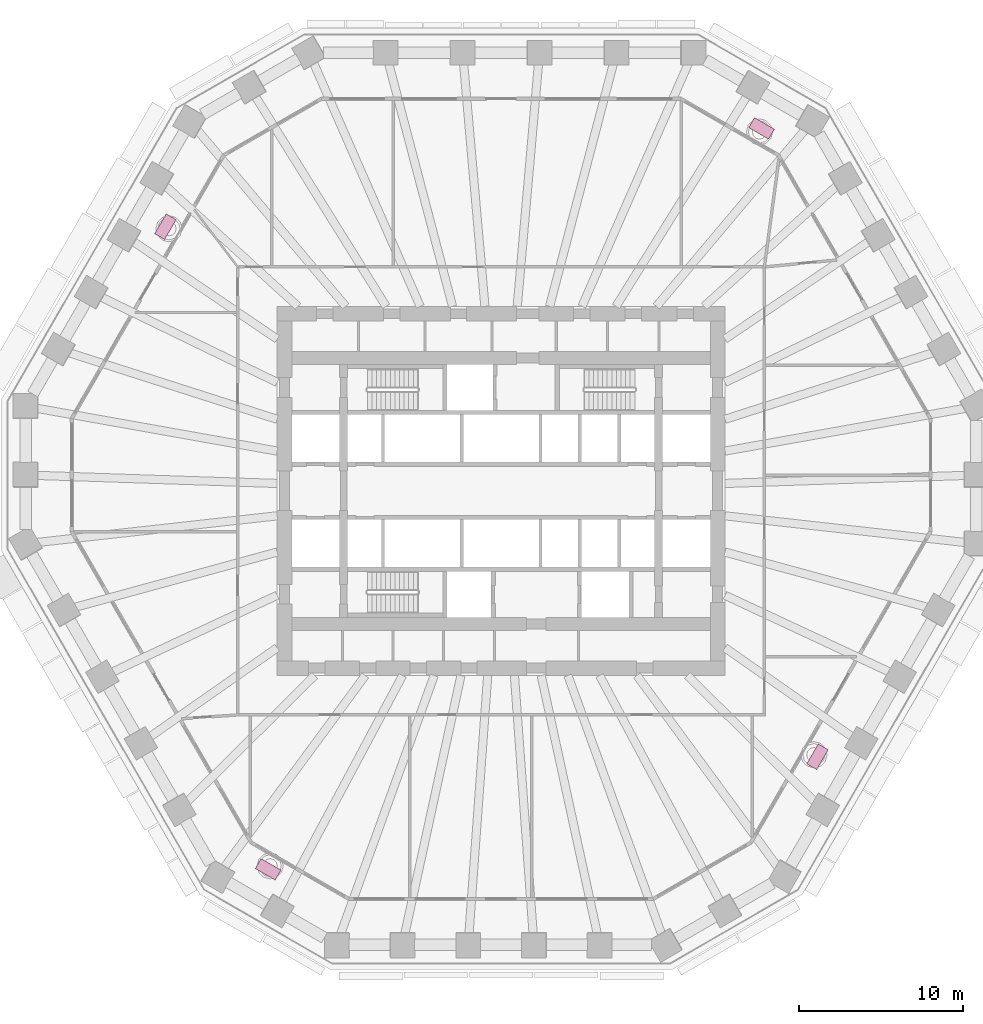
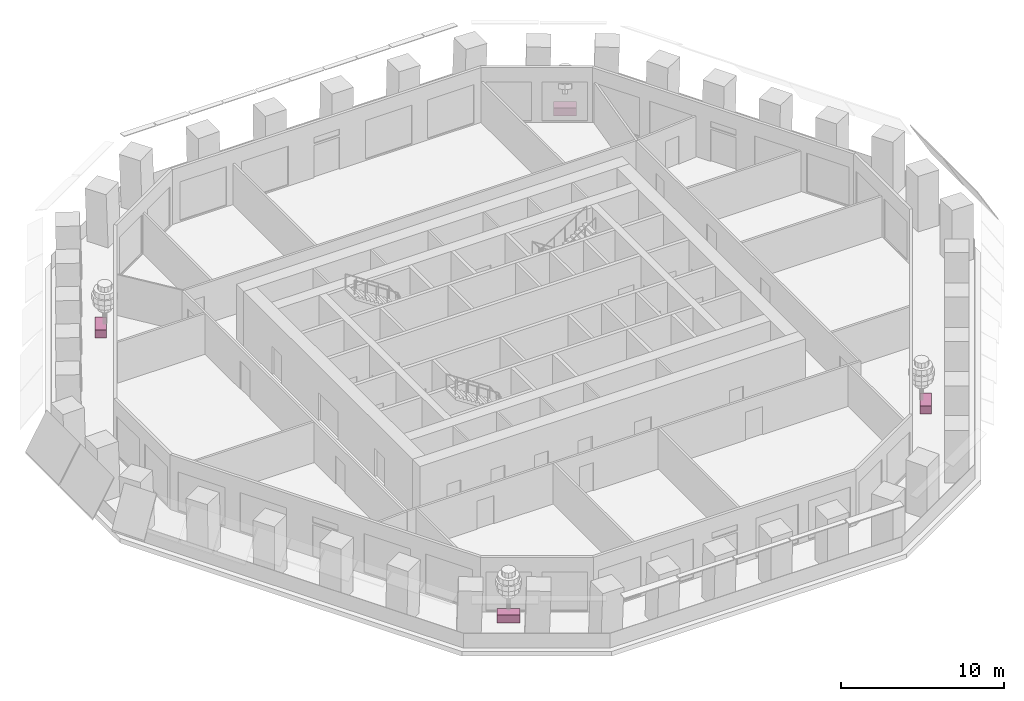
# One storey, part 11 of 12: 4 furniture elements.
"""IFC4 building model written with IfcOpenShell, lengths in metres."""

from ifc_helpers import new_model, si_unit, direction, frame, origin, origin_2d, place, context, subcontext, project, spatial, rectangle, extrude, material, type_object, element, save


model = new_model("IFC4")

# Units and contexts
model_context = context("Model", 3, precision=1e-05, world=origin(), true_north=direction((0.0, 1.0)))
body_context = subcontext(model_context, "Body", "Model", "MODEL_VIEW")
ifc_project = project(units=[si_unit("LENGTHUNIT", "METRE"), si_unit("AREAUNIT", "SQUARE_METRE"), si_unit("VOLUMEUNIT", "CUBIC_METRE"), si_unit("PLANEANGLEUNIT", "RADIAN"), si_unit("MASSUNIT", "GRAM", prefix="KILO")], contexts=[model_context])

# Site, building, storey
site_placement = place(None, origin())
site = spatial("IfcSite", under=ifc_project, at=site_placement, CompositionType="ELEMENT")
building_placement = place(site_placement, origin())
building = spatial("IfcBuilding", under=site, at=building_placement, Name="Frailejon Research Tower", CompositionType="ELEMENT")
storey_placement = place(building_placement, frame((0.0, 0.0, 45.39990234375)))
storey = spatial("IfcBuildingStorey", under=building, at=storey_placement, Name="L10", CompositionType="ELEMENT", Elevation=45.39990234375)

# Furniture
ifc_material = material(Name="Precast concrete C30/37 planter, terracotta", Category="masonry")
furniture_type = type_object("IfcFurnitureType", Name="Loggia planter 1400x700", AssemblyPlace="NOTDEFINED", PredefinedType="USERDEFINED", material=ifc_material)
for number, where, z_axis, x_axis, name in (
    (1, (15.8740234375, 22.0947265625, 0.0), (0.0, 0.0, 1.0), (-0.866025403784, 0.5, 0.0), "Planter L10"),
    (2, (-20.456298828125, 16.104736328125, 0.0), (0.0, 0.0, 1.0), (-0.5, -0.866025403784, 0.0), "Planter L10"),
    (3, (-14.197509765625, -23.062744140625, 0.0), (0.0, 0.0, 1.0), (0.866025403784, -0.5, 0.0), "Planter L10"),
    (4, (19.28271484375, -16.201416015625, 0.0), (0.0, 0.0, 1.0), (0.5, 0.866025403784, 0.0), "Planter L10"),
):
    element("IfcFurniture", number, at=place(storey_placement, frame(where, z_axis=z_axis, x_axis=x_axis)), inside=storey, type_object=furniture_type, Name=name, ObjectType="PLANTER", PredefinedType="USERDEFINED", context=body_context, shape_type="SweptSolid", body=[
        extrude(rectangle(XDim=1.39990234375, YDim=0.699951171875, at=origin_2d()), origin(), (0.0, 0.0, 1.0), 0.60009765625),
    ])

save(model, "model.ifc")
